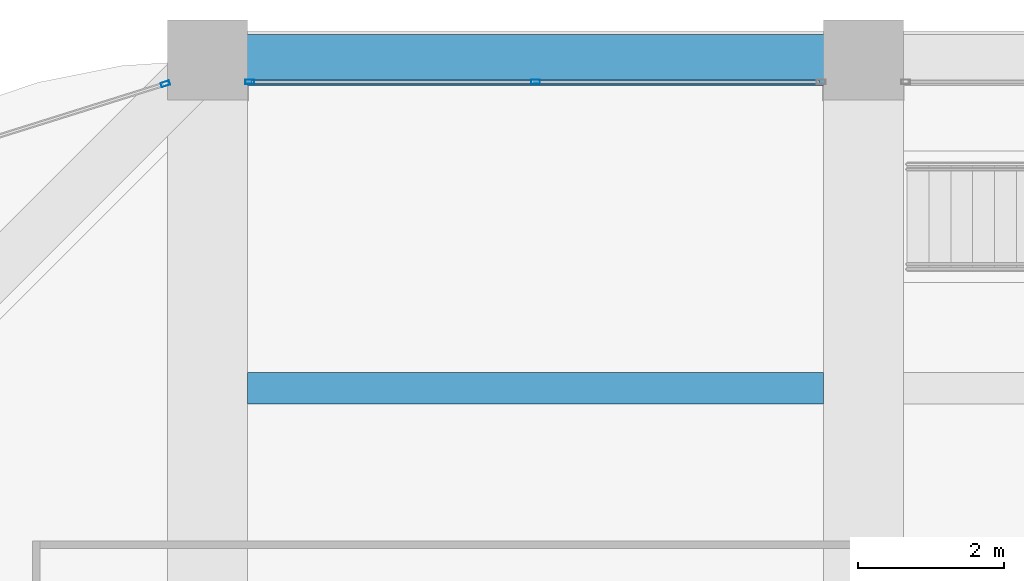
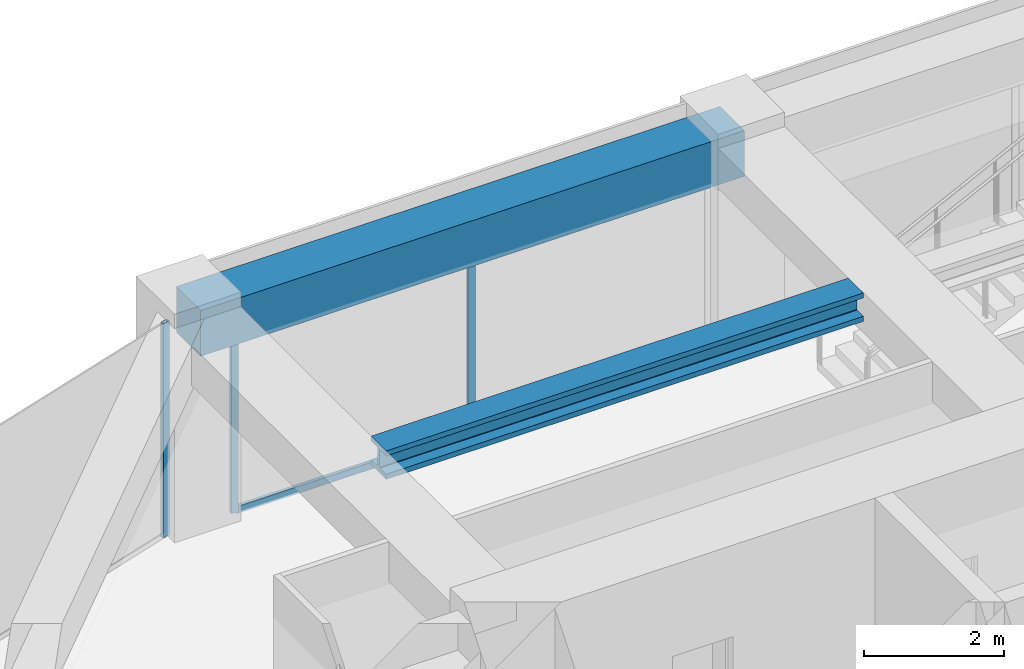
# One storey, part 31 of 45: 4 members, 2 beams, 2 elements without a shape of their own.
"""IFC4 building model written with IfcOpenShell, lengths in metres."""

from ifc_helpers import new_model, si_unit, direction, frame, origin, origin_2d, place, context, subcontext, project, spatial, rectangle, hollow_rectangle, i_section, extrude, material, material_profile, profile_set, type_object, element, aggregate, save


model = new_model("IFC4")

# Units and contexts
model_context = context("Model", 3, precision=1e-05, world=origin(), true_north=direction((0.0, 1.0)))
body_context = subcontext(model_context, "Body", "Model", "MODEL_VIEW")
ifc_project = project(units=[si_unit("LENGTHUNIT", "METRE"), si_unit("AREAUNIT", "SQUARE_METRE"), si_unit("VOLUMEUNIT", "CUBIC_METRE"), si_unit("PLANEANGLEUNIT", "RADIAN"), si_unit("MASSUNIT", "GRAM", prefix="KILO")], contexts=[model_context])

# Site, building, storey
site_placement = place(None, origin())
site = spatial("IfcSite", under=ifc_project, at=site_placement, CompositionType="ELEMENT")
building_placement = place(site_placement, origin())
building = spatial("IfcBuilding", under=site, at=building_placement, Name="Zorevar Civic Tower", CompositionType="ELEMENT")
storey_placement = place(building_placement, frame((0.0, 0.0, 291.39990234375)))
storey = spatial("IfcBuildingStorey", under=building, at=storey_placement, Name="L71", CompositionType="ELEMENT", Elevation=291.39990234375)

# Curtain wall, members
ifc_material_1 = material(Name="Dark grey solar-control glass in black aluminium frame", Category="aluminium")
curtain_wall_type = type_object("IfcCurtainWallType", Name="Curtain wall CW5 top zone", PredefinedType="NOTDEFINED", material=ifc_material_1)
curtain_wall_1_placement = place(storey_placement, origin())
curtain_wall_1 = element("IfcCurtainWall", 1, at=curtain_wall_1_placement, inside=storey, type_object=curtain_wall_type, Name="CW5 L71", PredefinedType="NOTDEFINED")
ifc_material_2 = material(Name="Aluminium, black anodised", Category="aluminium")
ifc_material_profile_1 = material_profile(ifc_material_2, hollow_rectangle(XDim=0.06005859375, YDim=0.1201171875, WallThickness=0.0029296875, at=origin_2d()), Name="AL 120x60x3")
ifc_profile_set_1 = profile_set([ifc_material_profile_1], Name="Aluminium, black anodised")
member_type_1 = type_object("IfcMemberType", Name="CW5 mullion AL 120x60x3", PredefinedType="MULLION", material=ifc_profile_set_1)
member_1_placement = place(storey_placement, frame((18.580078125, 44.699951171875, 0.0), z_axis=(0.0, 0.0, 1.0), x_axis=(0.0, 1.0, 0.0)))
member_1 = element("IfcMember", 2, at=member_1_placement, type_object=member_type_1, Name="CW5 mullion 1", PredefinedType="MULLION", context=body_context, shape_type="SweptSolid", body=[
    extrude(hollow_rectangle(XDim=0.06005859375, YDim=0.1201171875, WallThickness=0.0029296875, at=origin_2d()), origin(), (0.0, 0.0, 1.0), 2.9501953125),
])
member_2_placement = place(storey_placement, frame((22.5, 44.699951171875, 0.06005859375), z_axis=(0.0, 0.0, 1.0), x_axis=(0.0, 1.0, 0.0)))
member_2 = element("IfcMember", 3, at=member_2_placement, type_object=member_type_1, Name="CW5 mullion 2", PredefinedType="MULLION", context=body_context, shape_type="SweptSolid", body=[
    extrude(hollow_rectangle(XDim=0.06005859375, YDim=0.1201171875, WallThickness=0.0029296875, at=origin_2d()), origin(), (0.0, 0.0, 1.0), 2.89013671875),
])

# Curtain wall, member
curtain_wall_2_placement = place(storey_placement, origin())
curtain_wall_2 = element("IfcCurtainWall", 4, at=curtain_wall_2_placement, inside=storey, type_object=curtain_wall_type, Name="CW5 L71", PredefinedType="NOTDEFINED")
member_3_placement = place(storey_placement, frame((17.42138671875, 44.673583984375, 0.0), z_axis=(0.0, 0.0, 1.0), x_axis=(0.299317920238, -0.954153437674, 0.0)))
member_3 = element("IfcMember", 5, at=member_3_placement, type_object=member_type_1, Name="CW5 mullion 1", PredefinedType="MULLION", context=body_context, shape_type="SweptSolid", body=[
    extrude(hollow_rectangle(XDim=0.06005859375, YDim=0.1201171875, WallThickness=0.0029296875, at=origin_2d()), origin(), (0.0, 0.0, 1.0), 3.75),
])
aggregate(curtain_wall_2, [member_3])

# Member
ifc_material_3 = material(Name="Aluminium, black anodised", Category="aluminium")
ifc_material_profile_2 = material_profile(ifc_material_3, hollow_rectangle(XDim=0.06005859375, YDim=0.1201171875, WallThickness=0.0029296875, at=origin_2d()), Name="AL 120x60x3")
ifc_profile_set_2 = profile_set([ifc_material_profile_2], Name="Aluminium, black anodised")
member_type_2 = type_object("IfcMemberType", Name="CW5 transom AL 120x60x3", PredefinedType="USERDEFINED", material=ifc_profile_set_2)
member_4_placement = place(storey_placement, frame((18.610107421875, 44.699951171875, 0.030029296875), z_axis=(1.0, 0.0, 0.0), x_axis=(0.0, 1.0, 0.0)))
member_4 = element("IfcMember", 6, at=member_4_placement, type_object=member_type_2, Name="CW5 sill transom", ObjectType="TRANSOM", PredefinedType="USERDEFINED", context=body_context, shape_type="SweptSolid", body=[
    extrude(hollow_rectangle(XDim=0.06005859375, YDim=0.1201171875, WallThickness=0.0029296875, at=origin_2d()), origin(), (0.0, 0.0, 1.0), 7.77978515625),
])

aggregate(curtain_wall_1, [member_1, member_2, member_4])

# Beams
ifc_material_4 = material(Name="Steel S460M (HISTAR 460)", Category="steel")
ifc_material_profile_3 = material_profile(ifc_material_4, i_section(OverallWidth=0.431884765625, OverallDepth=0.498046875, WebThickness=0.0556640625, FlangeThickness=0.0888671875, FilletRadius=0.014892578125, at=origin_2d()), Name="HD 400x744")
ifc_profile_set_3 = profile_set([ifc_material_profile_3], Name="Steel S460M (HISTAR 460)")
beam_type_1 = type_object("IfcBeamType", Name="Core bay beam HD 400x744", PredefinedType="BEAM", material=ifc_profile_set_3)
beam_1_placement = place(storey_placement, frame((18.550048828125, 40.5, 3.5009765625), z_axis=(1.0, 0.0, 0.0), x_axis=(0.0, 1.0, 0.0)))
element("IfcBeam", 7, at=beam_1_placement, inside=storey, type_object=beam_type_1, Name="Secondary beam L72", PredefinedType="BEAM", context=body_context, shape_type="SweptSolid", body=[
    extrude(i_section(OverallWidth=0.431884765625, OverallDepth=0.498046875, WebThickness=0.0556640625, FlangeThickness=0.0888671875, FilletRadius=0.014892578125, at=origin_2d()), origin(), (0.0, 0.0, 1.0), 7.89990234375),
])
ifc_material_5 = material(Name="Concrete C50/60", Category="concrete")
ifc_material_profile_4 = material_profile(ifc_material_5, rectangle(XDim=0.699951171875, YDim=0.800048828125, at=origin_2d()), Name="RC 700x800")
ifc_profile_set_4 = profile_set([ifc_material_profile_4], Name="Concrete C50/60")
beam_type_2 = type_object("IfcBeamType", Name="Edge beam RC 700x800", PredefinedType="SPANDREL", material=ifc_profile_set_4)
beam_2_placement = place(storey_placement, frame((18.0, 45.0, 3.35009765625), z_axis=(1.0, 0.0, 0.0), x_axis=(0.0, 1.0, 0.0)))
element("IfcBeam", 8, at=beam_2_placement, inside=storey, type_object=beam_type_2, Name="Edge beam L72", PredefinedType="SPANDREL", context=body_context, shape_type="SweptSolid", body=[
    extrude(rectangle(XDim=0.699951171875, YDim=0.800048828125, at=origin_2d()), origin(), (0.0, 0.0, 1.0), 9.0),
])

save(model, "model.ifc")
